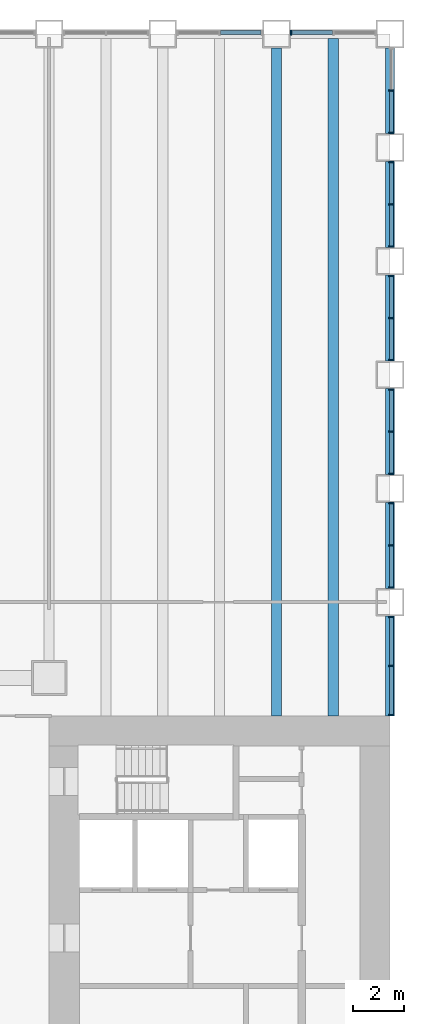
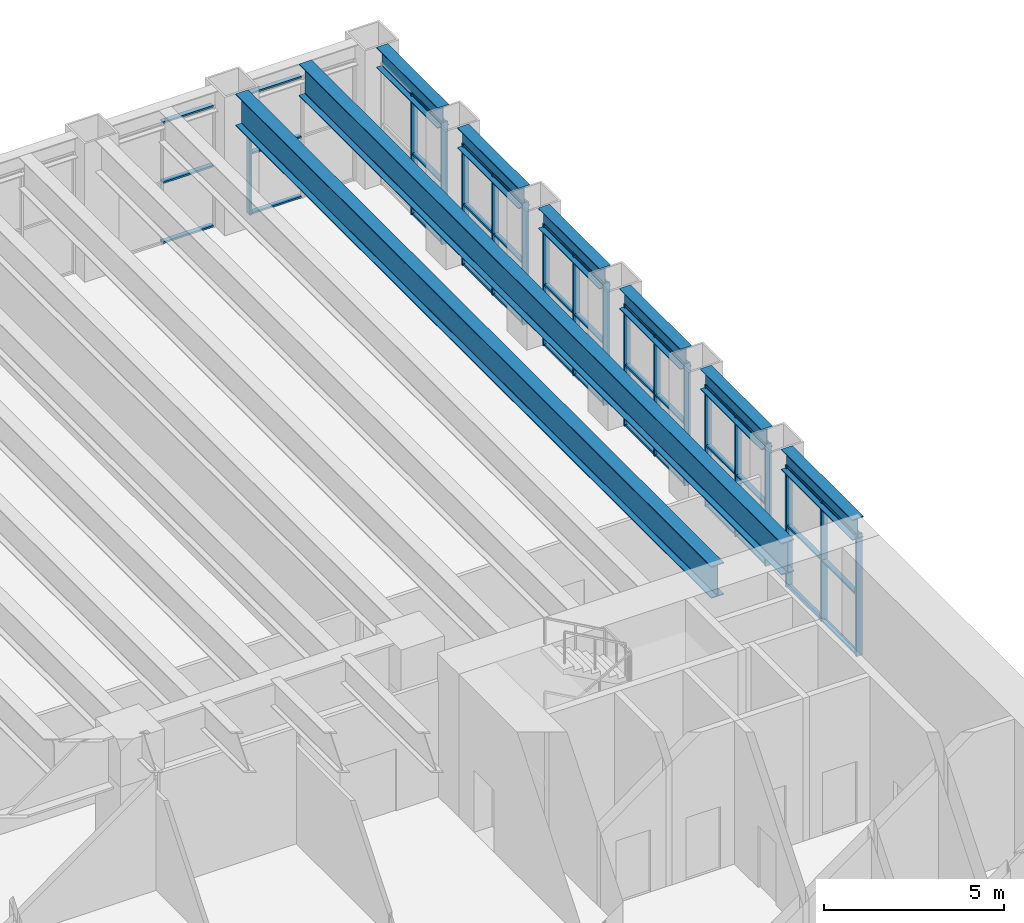
# One storey, part 6 of 21: 57 members, 8 beams, 8 elements without a shape of their own.
"""IFC4 building model written with IfcOpenShell, lengths in metres."""

from ifc_helpers import new_model, si_unit, direction, frame, origin, origin_2d, place, context, subcontext, project, spatial, rectangle, i_section, extrude, material, material_profile, profile_set, type_object, element, aggregate, save


model = new_model("IFC4")

# Units and contexts
model_context = context("Model", 3, precision=1e-05, world=origin(), true_north=direction((0.0, 1.0)))
body_context = subcontext(model_context, "Body", "Model", "MODEL_VIEW")
ifc_project = project(units=[si_unit("LENGTHUNIT", "METRE"), si_unit("AREAUNIT", "SQUARE_METRE"), si_unit("VOLUMEUNIT", "CUBIC_METRE"), si_unit("PLANEANGLEUNIT", "RADIAN"), si_unit("MASSUNIT", "GRAM", prefix="KILO")], contexts=[model_context])

# Site, building, storey
site_placement = place(None, origin())
site = spatial("IfcSite", under=ifc_project, at=site_placement, CompositionType="ELEMENT")
building_placement = place(site_placement, origin())
building = spatial("IfcBuilding", under=site, at=building_placement, Name="Sennacour Bend Tower", CompositionType="ELEMENT")
storey_placement = place(building_placement, frame((0.0, 0.0, 24.0)))
storey = spatial("IfcBuildingStorey", under=building, at=storey_placement, Name="L04", CompositionType="ELEMENT", Elevation=24.0)

# Curtain wall, members
ifc_material_1 = material(Name="Bronze anodised aluminium curtain wall with clear glass", Category="aluminium")
curtain_wall_type = type_object("IfcCurtainWallType", Name="CURTAIN WALL NOTCH", PredefinedType="NOTDEFINED", material=ifc_material_1)
curtain_wall_1_placement = place(storey_placement, origin())
curtain_wall_1 = element("IfcCurtainWall", 1, at=curtain_wall_1_placement, inside=storey, type_object=curtain_wall_type, Name="Podium glass wall L04", PredefinedType="NOTDEFINED")
ifc_material_2 = material(Name="Aluminium 6063-T6", Category="aluminium")
ifc_material_profile_1 = material_profile(ifc_material_2, rectangle(XDim=0.199951171875, YDim=0.06005859375, at=origin_2d()), Name="Aluminium 6063-T6", Category="aluminium")
ifc_profile_set_1 = profile_set([ifc_material_profile_1], Name="Aluminium 6063-T6")
member_type_1 = type_object("IfcMemberType", Name="CW-MULLION-200X60", PredefinedType="MULLION", material=ifc_profile_set_1)
member_1_placement = place(storey_placement, frame((67.550048828125, 22.531005859375, 0.0), z_axis=(0.0, 0.0, 1.0), x_axis=(-1.0, 0.0, 0.0)))
member_1 = element("IfcMember", 2, at=member_1_placement, type_object=member_type_1, Name="GW2 curtain wall mullion 1", PredefinedType="MULLION", context=body_context, shape_type="SweptSolid", body=[
    extrude(rectangle(XDim=0.199951171875, YDim=0.06005859375, at=origin_2d()), origin(), (0.0, 0.0, 1.0), 4.135986328125),
])
member_2_placement = place(storey_placement, frame((67.550048828125, 24.4755859375, 0.0), z_axis=(0.0, 0.0, 1.0), x_axis=(-1.0, 0.0, 0.0)))
member_2 = element("IfcMember", 3, at=member_2_placement, type_object=member_type_1, Name="GW2 curtain wall mullion 2", PredefinedType="MULLION", context=body_context, shape_type="SweptSolid", body=[
    extrude(rectangle(XDim=0.199951171875, YDim=0.06005859375, at=origin_2d()), origin(), (0.0, 0.0, 1.0), 4.135986328125),
])
member_3_placement = place(storey_placement, frame((67.550048828125, 26.419921875, 0.0), z_axis=(0.0, 0.0, 1.0), x_axis=(-1.0, 0.0, 0.0)))
member_3 = element("IfcMember", 4, at=member_3_placement, type_object=member_type_1, Name="GW2 curtain wall mullion 3", PredefinedType="MULLION", context=body_context, shape_type="SweptSolid", body=[
    extrude(rectangle(XDim=0.199951171875, YDim=0.06005859375, at=origin_2d()), origin(), (0.0, 0.0, 1.0), 4.135986328125),
])

curtain_wall_2_placement = place(storey_placement, origin())
curtain_wall_2 = element("IfcCurtainWall", 5, at=curtain_wall_2_placement, inside=storey, type_object=curtain_wall_type, Name="Podium glass wall L04", PredefinedType="NOTDEFINED")
member_4_placement = place(storey_placement, frame((67.550048828125, 27.580078125, 0.0), z_axis=(0.0, 0.0, 1.0), x_axis=(-1.0, 0.0, 0.0)))
member_4 = element("IfcMember", 6, at=member_4_placement, type_object=member_type_1, Name="GW2 curtain wall mullion 1", PredefinedType="MULLION", context=body_context, shape_type="SweptSolid", body=[
    extrude(rectangle(XDim=0.199951171875, YDim=0.06005859375, at=origin_2d()), origin(), (0.0, 0.0, 1.0), 4.135986328125),
])
member_5_placement = place(storey_placement, frame((67.550048828125, 29.25, 0.0), z_axis=(0.0, 0.0, 1.0), x_axis=(-1.0, 0.0, 0.0)))
member_5 = element("IfcMember", 7, at=member_5_placement, type_object=member_type_1, Name="GW2 curtain wall mullion 2", PredefinedType="MULLION", context=body_context, shape_type="SweptSolid", body=[
    extrude(rectangle(XDim=0.199951171875, YDim=0.06005859375, at=origin_2d()), origin(), (0.0, 0.0, 1.0), 4.135986328125),
])
member_6_placement = place(storey_placement, frame((67.550048828125, 30.919921875, 0.0), z_axis=(0.0, 0.0, 1.0), x_axis=(-1.0, 0.0, 0.0)))
member_6 = element("IfcMember", 8, at=member_6_placement, type_object=member_type_1, Name="GW2 curtain wall mullion 3", PredefinedType="MULLION", context=body_context, shape_type="SweptSolid", body=[
    extrude(rectangle(XDim=0.199951171875, YDim=0.06005859375, at=origin_2d()), origin(), (0.0, 0.0, 1.0), 4.135986328125),
])

curtain_wall_3_placement = place(storey_placement, origin())
curtain_wall_3 = element("IfcCurtainWall", 9, at=curtain_wall_3_placement, inside=storey, type_object=curtain_wall_type, Name="Podium glass wall L04", PredefinedType="NOTDEFINED")
member_7_placement = place(storey_placement, frame((67.550048828125, 32.080078125, 0.0), z_axis=(0.0, 0.0, 1.0), x_axis=(-1.0, 0.0, 0.0)))
member_7 = element("IfcMember", 10, at=member_7_placement, type_object=member_type_1, Name="GW2 curtain wall mullion 1", PredefinedType="MULLION", context=body_context, shape_type="SweptSolid", body=[
    extrude(rectangle(XDim=0.199951171875, YDim=0.06005859375, at=origin_2d()), origin(), (0.0, 0.0, 1.0), 4.135986328125),
])
member_8_placement = place(storey_placement, frame((67.550048828125, 33.75, 0.0), z_axis=(0.0, 0.0, 1.0), x_axis=(-1.0, 0.0, 0.0)))
member_8 = element("IfcMember", 11, at=member_8_placement, type_object=member_type_1, Name="GW2 curtain wall mullion 2", PredefinedType="MULLION", context=body_context, shape_type="SweptSolid", body=[
    extrude(rectangle(XDim=0.199951171875, YDim=0.06005859375, at=origin_2d()), origin(), (0.0, 0.0, 1.0), 4.135986328125),
])
member_9_placement = place(storey_placement, frame((67.550048828125, 35.419921875, 0.0), z_axis=(0.0, 0.0, 1.0), x_axis=(-1.0, 0.0, 0.0)))
member_9 = element("IfcMember", 12, at=member_9_placement, type_object=member_type_1, Name="GW2 curtain wall mullion 3", PredefinedType="MULLION", context=body_context, shape_type="SweptSolid", body=[
    extrude(rectangle(XDim=0.199951171875, YDim=0.06005859375, at=origin_2d()), origin(), (0.0, 0.0, 1.0), 4.135986328125),
])

curtain_wall_4_placement = place(storey_placement, origin())
curtain_wall_4 = element("IfcCurtainWall", 13, at=curtain_wall_4_placement, inside=storey, type_object=curtain_wall_type, Name="Podium glass wall L04", PredefinedType="NOTDEFINED")
member_10_placement = place(storey_placement, frame((67.550048828125, 36.580078125, 0.0), z_axis=(0.0, 0.0, 1.0), x_axis=(-1.0, 0.0, 0.0)))
member_10 = element("IfcMember", 14, at=member_10_placement, type_object=member_type_1, Name="GW2 curtain wall mullion 1", PredefinedType="MULLION", context=body_context, shape_type="SweptSolid", body=[
    extrude(rectangle(XDim=0.199951171875, YDim=0.06005859375, at=origin_2d()), origin(), (0.0, 0.0, 1.0), 4.135986328125),
])
member_11_placement = place(storey_placement, frame((67.550048828125, 38.25, 0.0), z_axis=(0.0, 0.0, 1.0), x_axis=(-1.0, 0.0, 0.0)))
member_11 = element("IfcMember", 15, at=member_11_placement, type_object=member_type_1, Name="GW2 curtain wall mullion 2", PredefinedType="MULLION", context=body_context, shape_type="SweptSolid", body=[
    extrude(rectangle(XDim=0.199951171875, YDim=0.06005859375, at=origin_2d()), origin(), (0.0, 0.0, 1.0), 4.135986328125),
])
member_12_placement = place(storey_placement, frame((67.550048828125, 39.919921875, 0.0), z_axis=(0.0, 0.0, 1.0), x_axis=(-1.0, 0.0, 0.0)))
member_12 = element("IfcMember", 16, at=member_12_placement, type_object=member_type_1, Name="GW2 curtain wall mullion 3", PredefinedType="MULLION", context=body_context, shape_type="SweptSolid", body=[
    extrude(rectangle(XDim=0.199951171875, YDim=0.06005859375, at=origin_2d()), origin(), (0.0, 0.0, 1.0), 4.135986328125),
])

curtain_wall_5_placement = place(storey_placement, origin())
curtain_wall_5 = element("IfcCurtainWall", 17, at=curtain_wall_5_placement, inside=storey, type_object=curtain_wall_type, Name="Podium glass wall L04", PredefinedType="NOTDEFINED")
member_13_placement = place(storey_placement, frame((67.550048828125, 41.080078125, 0.0), z_axis=(0.0, 0.0, 1.0), x_axis=(-1.0, 0.0, 0.0)))
member_13 = element("IfcMember", 18, at=member_13_placement, type_object=member_type_1, Name="GW2 curtain wall mullion 1", PredefinedType="MULLION", context=body_context, shape_type="SweptSolid", body=[
    extrude(rectangle(XDim=0.199951171875, YDim=0.06005859375, at=origin_2d()), origin(), (0.0, 0.0, 1.0), 4.135986328125),
])
member_14_placement = place(storey_placement, frame((67.550048828125, 42.75, 0.0), z_axis=(0.0, 0.0, 1.0), x_axis=(-1.0, 0.0, 0.0)))
member_14 = element("IfcMember", 19, at=member_14_placement, type_object=member_type_1, Name="GW2 curtain wall mullion 2", PredefinedType="MULLION", context=body_context, shape_type="SweptSolid", body=[
    extrude(rectangle(XDim=0.199951171875, YDim=0.06005859375, at=origin_2d()), origin(), (0.0, 0.0, 1.0), 4.135986328125),
])
member_15_placement = place(storey_placement, frame((67.550048828125, 44.419921875, 0.0), z_axis=(0.0, 0.0, 1.0), x_axis=(-1.0, 0.0, 0.0)))
member_15 = element("IfcMember", 20, at=member_15_placement, type_object=member_type_1, Name="GW2 curtain wall mullion 3", PredefinedType="MULLION", context=body_context, shape_type="SweptSolid", body=[
    extrude(rectangle(XDim=0.199951171875, YDim=0.06005859375, at=origin_2d()), origin(), (0.0, 0.0, 1.0), 4.135986328125),
])

curtain_wall_6_placement = place(storey_placement, origin())
curtain_wall_6 = element("IfcCurtainWall", 21, at=curtain_wall_6_placement, inside=storey, type_object=curtain_wall_type, Name="Podium glass wall L04", PredefinedType="NOTDEFINED")
member_16_placement = place(storey_placement, frame((67.550048828125, 45.580078125, 0.0), z_axis=(0.0, 0.0, 1.0), x_axis=(-1.0, 0.0, 0.0)))
member_16 = element("IfcMember", 22, at=member_16_placement, type_object=member_type_1, Name="GW2 curtain wall mullion 1", PredefinedType="MULLION", context=body_context, shape_type="SweptSolid", body=[
    extrude(rectangle(XDim=0.199951171875, YDim=0.06005859375, at=origin_2d()), origin(), (0.0, 0.0, 1.0), 4.135986328125),
])
member_17_placement = place(storey_placement, frame((67.550048828125, 47.25, 0.0), z_axis=(0.0, 0.0, 1.0), x_axis=(-1.0, 0.0, 0.0)))
member_17 = element("IfcMember", 23, at=member_17_placement, type_object=member_type_1, Name="GW2 curtain wall mullion 2", PredefinedType="MULLION", context=body_context, shape_type="SweptSolid", body=[
    extrude(rectangle(XDim=0.199951171875, YDim=0.06005859375, at=origin_2d()), origin(), (0.0, 0.0, 1.0), 4.135986328125),
])

# Curtain wall, member
curtain_wall_7_placement = place(storey_placement, origin())
curtain_wall_7 = element("IfcCurtainWall", 24, at=curtain_wall_7_placement, inside=storey, type_object=curtain_wall_type, Name="Podium glass wall L04", PredefinedType="NOTDEFINED")
member_18_placement = place(storey_placement, frame((63.580078125, 49.550048828125, 0.0), z_axis=(0.0, 0.0, 1.0), x_axis=(0.0, -1.0, 0.0)))
member_18 = element("IfcMember", 25, at=member_18_placement, type_object=member_type_1, Name="GW2 curtain wall mullion 3", PredefinedType="MULLION", context=body_context, shape_type="SweptSolid", body=[
    extrude(rectangle(XDim=0.199951171875, YDim=0.06005859375, at=origin_2d()), origin(), (0.0, 0.0, 1.0), 4.135986328125),
])

# Member
ifc_material_profile_2 = material_profile(ifc_material_2, rectangle(XDim=0.14990234375, YDim=0.06005859375, at=origin_2d()), Name="Aluminium 6063-T6", Category="aluminium")
ifc_profile_set_2 = profile_set([ifc_material_profile_2], Name="Aluminium 6063-T6")
member_type_2 = type_object("IfcMemberType", Name="CW-TRANSOM-150X60", PredefinedType="USERDEFINED", material=ifc_profile_set_2)
member_19_placement = place(storey_placement, frame((67.550048828125, 22.56103515625, 0.030029296875), z_axis=(0.0, 1.0, 0.0), x_axis=(-1.0, 0.0, 0.0)))
member_19 = element("IfcMember", 26, at=member_19_placement, type_object=member_type_2, Name="GW2 curtain wall transom 1.1", ObjectType="TRANSOM", PredefinedType="USERDEFINED", context=body_context, shape_type="SweptSolid", body=[
    extrude(rectangle(XDim=0.14990234375, YDim=0.06005859375, at=origin_2d()), origin(), (0.0, 0.0, 1.0), 1.884521484375),
])

member_20_placement = place(storey_placement, frame((67.550048828125, 22.56103515625, 2.068115234375), z_axis=(0.0, 1.0, 0.0), x_axis=(-1.0, 0.0, 0.0)))
member_20 = element("IfcMember", 27, at=member_20_placement, type_object=member_type_2, Name="GW2 curtain wall transom 1.2", ObjectType="TRANSOM", PredefinedType="USERDEFINED", context=body_context, shape_type="SweptSolid", body=[
    extrude(rectangle(XDim=0.14990234375, YDim=0.06005859375, at=origin_2d()), origin(), (0.0, 0.0, 1.0), 1.884521484375),
])

member_21_placement = place(storey_placement, frame((67.550048828125, 22.56103515625, 4.10595703125), z_axis=(0.0, 1.0, 0.0), x_axis=(-1.0, 0.0, 0.0)))
member_21 = element("IfcMember", 28, at=member_21_placement, type_object=member_type_2, Name="GW2 curtain wall transom 1.3", ObjectType="TRANSOM", PredefinedType="USERDEFINED", context=body_context, shape_type="SweptSolid", body=[
    extrude(rectangle(XDim=0.14990234375, YDim=0.06005859375, at=origin_2d()), origin(), (0.0, 0.0, 1.0), 1.884521484375),
])

member_22_placement = place(storey_placement, frame((67.550048828125, 24.505615234375, 0.030029296875), z_axis=(0.0, 1.0, 0.0), x_axis=(-1.0, 0.0, 0.0)))
member_22 = element("IfcMember", 29, at=member_22_placement, type_object=member_type_2, Name="GW2 curtain wall transom 2.1", ObjectType="TRANSOM", PredefinedType="USERDEFINED", context=body_context, shape_type="SweptSolid", body=[
    extrude(rectangle(XDim=0.14990234375, YDim=0.06005859375, at=origin_2d()), origin(), (0.0, 0.0, 1.0), 1.88427734375),
])

member_23_placement = place(storey_placement, frame((67.550048828125, 24.505615234375, 2.068115234375), z_axis=(0.0, 1.0, 0.0), x_axis=(-1.0, 0.0, 0.0)))
member_23 = element("IfcMember", 30, at=member_23_placement, type_object=member_type_2, Name="GW2 curtain wall transom 2.2", ObjectType="TRANSOM", PredefinedType="USERDEFINED", context=body_context, shape_type="SweptSolid", body=[
    extrude(rectangle(XDim=0.14990234375, YDim=0.06005859375, at=origin_2d()), origin(), (0.0, 0.0, 1.0), 1.88427734375),
])

member_24_placement = place(storey_placement, frame((67.550048828125, 24.505615234375, 4.10595703125), z_axis=(0.0, 1.0, 0.0), x_axis=(-1.0, 0.0, 0.0)))
member_24 = element("IfcMember", 31, at=member_24_placement, type_object=member_type_2, Name="GW2 curtain wall transom 2.3", ObjectType="TRANSOM", PredefinedType="USERDEFINED", context=body_context, shape_type="SweptSolid", body=[
    extrude(rectangle(XDim=0.14990234375, YDim=0.06005859375, at=origin_2d()), origin(), (0.0, 0.0, 1.0), 1.88427734375),
])

aggregate(curtain_wall_1, [member_1, member_2, member_3, member_19, member_20, member_21, member_22, member_23, member_24])

member_25_placement = place(storey_placement, frame((67.550048828125, 27.610107421875, 0.030029296875), z_axis=(0.0, 1.0, 0.0), x_axis=(-1.0, 0.0, 0.0)))
member_25 = element("IfcMember", 32, at=member_25_placement, type_object=member_type_2, Name="GW2 curtain wall transom 1.1", ObjectType="TRANSOM", PredefinedType="USERDEFINED", context=body_context, shape_type="SweptSolid", body=[
    extrude(rectangle(XDim=0.14990234375, YDim=0.06005859375, at=origin_2d()), origin(), (0.0, 0.0, 1.0), 1.60986328125),
])

member_26_placement = place(storey_placement, frame((67.550048828125, 27.610107421875, 2.068115234375), z_axis=(0.0, 1.0, 0.0), x_axis=(-1.0, 0.0, 0.0)))
member_26 = element("IfcMember", 33, at=member_26_placement, type_object=member_type_2, Name="GW2 curtain wall transom 1.2", ObjectType="TRANSOM", PredefinedType="USERDEFINED", context=body_context, shape_type="SweptSolid", body=[
    extrude(rectangle(XDim=0.14990234375, YDim=0.06005859375, at=origin_2d()), origin(), (0.0, 0.0, 1.0), 1.60986328125),
])

member_27_placement = place(storey_placement, frame((67.550048828125, 27.610107421875, 4.10595703125), z_axis=(0.0, 1.0, 0.0), x_axis=(-1.0, 0.0, 0.0)))
member_27 = element("IfcMember", 34, at=member_27_placement, type_object=member_type_2, Name="GW2 curtain wall transom 1.3", ObjectType="TRANSOM", PredefinedType="USERDEFINED", context=body_context, shape_type="SweptSolid", body=[
    extrude(rectangle(XDim=0.14990234375, YDim=0.06005859375, at=origin_2d()), origin(), (0.0, 0.0, 1.0), 1.60986328125),
])

member_28_placement = place(storey_placement, frame((67.550048828125, 29.280029296875, 0.030029296875), z_axis=(0.0, 1.0, 0.0), x_axis=(-1.0, 0.0, 0.0)))
member_28 = element("IfcMember", 35, at=member_28_placement, type_object=member_type_2, Name="GW2 curtain wall transom 2.1", ObjectType="TRANSOM", PredefinedType="USERDEFINED", context=body_context, shape_type="SweptSolid", body=[
    extrude(rectangle(XDim=0.14990234375, YDim=0.06005859375, at=origin_2d()), origin(), (0.0, 0.0, 1.0), 1.60986328125),
])

member_29_placement = place(storey_placement, frame((67.550048828125, 29.280029296875, 2.068115234375), z_axis=(0.0, 1.0, 0.0), x_axis=(-1.0, 0.0, 0.0)))
member_29 = element("IfcMember", 36, at=member_29_placement, type_object=member_type_2, Name="GW2 curtain wall transom 2.2", ObjectType="TRANSOM", PredefinedType="USERDEFINED", context=body_context, shape_type="SweptSolid", body=[
    extrude(rectangle(XDim=0.14990234375, YDim=0.06005859375, at=origin_2d()), origin(), (0.0, 0.0, 1.0), 1.60986328125),
])

member_30_placement = place(storey_placement, frame((67.550048828125, 29.280029296875, 4.10595703125), z_axis=(0.0, 1.0, 0.0), x_axis=(-1.0, 0.0, 0.0)))
member_30 = element("IfcMember", 37, at=member_30_placement, type_object=member_type_2, Name="GW2 curtain wall transom 2.3", ObjectType="TRANSOM", PredefinedType="USERDEFINED", context=body_context, shape_type="SweptSolid", body=[
    extrude(rectangle(XDim=0.14990234375, YDim=0.06005859375, at=origin_2d()), origin(), (0.0, 0.0, 1.0), 1.60986328125),
])

aggregate(curtain_wall_2, [member_4, member_5, member_6, member_25, member_26, member_27, member_28, member_29, member_30])

member_31_placement = place(storey_placement, frame((67.550048828125, 32.110107421875, 0.030029296875), z_axis=(0.0, 1.0, 0.0), x_axis=(-1.0, 0.0, 0.0)))
member_31 = element("IfcMember", 38, at=member_31_placement, type_object=member_type_2, Name="GW2 curtain wall transom 1.1", ObjectType="TRANSOM", PredefinedType="USERDEFINED", context=body_context, shape_type="SweptSolid", body=[
    extrude(rectangle(XDim=0.14990234375, YDim=0.06005859375, at=origin_2d()), origin(), (0.0, 0.0, 1.0), 1.60986328125),
])

member_32_placement = place(storey_placement, frame((67.550048828125, 32.110107421875, 2.068115234375), z_axis=(0.0, 1.0, 0.0), x_axis=(-1.0, 0.0, 0.0)))
member_32 = element("IfcMember", 39, at=member_32_placement, type_object=member_type_2, Name="GW2 curtain wall transom 1.2", ObjectType="TRANSOM", PredefinedType="USERDEFINED", context=body_context, shape_type="SweptSolid", body=[
    extrude(rectangle(XDim=0.14990234375, YDim=0.06005859375, at=origin_2d()), origin(), (0.0, 0.0, 1.0), 1.60986328125),
])

member_33_placement = place(storey_placement, frame((67.550048828125, 32.110107421875, 4.10595703125), z_axis=(0.0, 1.0, 0.0), x_axis=(-1.0, 0.0, 0.0)))
member_33 = element("IfcMember", 40, at=member_33_placement, type_object=member_type_2, Name="GW2 curtain wall transom 1.3", ObjectType="TRANSOM", PredefinedType="USERDEFINED", context=body_context, shape_type="SweptSolid", body=[
    extrude(rectangle(XDim=0.14990234375, YDim=0.06005859375, at=origin_2d()), origin(), (0.0, 0.0, 1.0), 1.60986328125),
])

member_34_placement = place(storey_placement, frame((67.550048828125, 33.780029296875, 0.030029296875), z_axis=(0.0, 1.0, 0.0), x_axis=(-1.0, 0.0, 0.0)))
member_34 = element("IfcMember", 41, at=member_34_placement, type_object=member_type_2, Name="GW2 curtain wall transom 2.1", ObjectType="TRANSOM", PredefinedType="USERDEFINED", context=body_context, shape_type="SweptSolid", body=[
    extrude(rectangle(XDim=0.14990234375, YDim=0.06005859375, at=origin_2d()), origin(), (0.0, 0.0, 1.0), 1.60986328125),
])

member_35_placement = place(storey_placement, frame((67.550048828125, 33.780029296875, 2.068115234375), z_axis=(0.0, 1.0, 0.0), x_axis=(-1.0, 0.0, 0.0)))
member_35 = element("IfcMember", 42, at=member_35_placement, type_object=member_type_2, Name="GW2 curtain wall transom 2.2", ObjectType="TRANSOM", PredefinedType="USERDEFINED", context=body_context, shape_type="SweptSolid", body=[
    extrude(rectangle(XDim=0.14990234375, YDim=0.06005859375, at=origin_2d()), origin(), (0.0, 0.0, 1.0), 1.60986328125),
])

member_36_placement = place(storey_placement, frame((67.550048828125, 33.780029296875, 4.10595703125), z_axis=(0.0, 1.0, 0.0), x_axis=(-1.0, 0.0, 0.0)))
member_36 = element("IfcMember", 43, at=member_36_placement, type_object=member_type_2, Name="GW2 curtain wall transom 2.3", ObjectType="TRANSOM", PredefinedType="USERDEFINED", context=body_context, shape_type="SweptSolid", body=[
    extrude(rectangle(XDim=0.14990234375, YDim=0.06005859375, at=origin_2d()), origin(), (0.0, 0.0, 1.0), 1.60986328125),
])

aggregate(curtain_wall_3, [member_7, member_8, member_9, member_31, member_32, member_33, member_34, member_35, member_36])

member_37_placement = place(storey_placement, frame((67.550048828125, 36.610107421875, 0.030029296875), z_axis=(0.0, 1.0, 0.0), x_axis=(-1.0, 0.0, 0.0)))
member_37 = element("IfcMember", 44, at=member_37_placement, type_object=member_type_2, Name="GW2 curtain wall transom 1.1", ObjectType="TRANSOM", PredefinedType="USERDEFINED", context=body_context, shape_type="SweptSolid", body=[
    extrude(rectangle(XDim=0.14990234375, YDim=0.06005859375, at=origin_2d()), origin(), (0.0, 0.0, 1.0), 1.60986328125),
])

member_38_placement = place(storey_placement, frame((67.550048828125, 36.610107421875, 2.068115234375), z_axis=(0.0, 1.0, 0.0), x_axis=(-1.0, 0.0, 0.0)))
member_38 = element("IfcMember", 45, at=member_38_placement, type_object=member_type_2, Name="GW2 curtain wall transom 1.2", ObjectType="TRANSOM", PredefinedType="USERDEFINED", context=body_context, shape_type="SweptSolid", body=[
    extrude(rectangle(XDim=0.14990234375, YDim=0.06005859375, at=origin_2d()), origin(), (0.0, 0.0, 1.0), 1.60986328125),
])

member_39_placement = place(storey_placement, frame((67.550048828125, 36.610107421875, 4.10595703125), z_axis=(0.0, 1.0, 0.0), x_axis=(-1.0, 0.0, 0.0)))
member_39 = element("IfcMember", 46, at=member_39_placement, type_object=member_type_2, Name="GW2 curtain wall transom 1.3", ObjectType="TRANSOM", PredefinedType="USERDEFINED", context=body_context, shape_type="SweptSolid", body=[
    extrude(rectangle(XDim=0.14990234375, YDim=0.06005859375, at=origin_2d()), origin(), (0.0, 0.0, 1.0), 1.60986328125),
])

member_40_placement = place(storey_placement, frame((67.550048828125, 38.280029296875, 0.030029296875), z_axis=(0.0, 1.0, 0.0), x_axis=(-1.0, 0.0, 0.0)))
member_40 = element("IfcMember", 47, at=member_40_placement, type_object=member_type_2, Name="GW2 curtain wall transom 2.1", ObjectType="TRANSOM", PredefinedType="USERDEFINED", context=body_context, shape_type="SweptSolid", body=[
    extrude(rectangle(XDim=0.14990234375, YDim=0.06005859375, at=origin_2d()), origin(), (0.0, 0.0, 1.0), 1.60986328125),
])

member_41_placement = place(storey_placement, frame((67.550048828125, 38.280029296875, 2.068115234375), z_axis=(0.0, 1.0, 0.0), x_axis=(-1.0, 0.0, 0.0)))
member_41 = element("IfcMember", 48, at=member_41_placement, type_object=member_type_2, Name="GW2 curtain wall transom 2.2", ObjectType="TRANSOM", PredefinedType="USERDEFINED", context=body_context, shape_type="SweptSolid", body=[
    extrude(rectangle(XDim=0.14990234375, YDim=0.06005859375, at=origin_2d()), origin(), (0.0, 0.0, 1.0), 1.60986328125),
])

member_42_placement = place(storey_placement, frame((67.550048828125, 38.280029296875, 4.10595703125), z_axis=(0.0, 1.0, 0.0), x_axis=(-1.0, 0.0, 0.0)))
member_42 = element("IfcMember", 49, at=member_42_placement, type_object=member_type_2, Name="GW2 curtain wall transom 2.3", ObjectType="TRANSOM", PredefinedType="USERDEFINED", context=body_context, shape_type="SweptSolid", body=[
    extrude(rectangle(XDim=0.14990234375, YDim=0.06005859375, at=origin_2d()), origin(), (0.0, 0.0, 1.0), 1.60986328125),
])

aggregate(curtain_wall_4, [member_10, member_11, member_12, member_37, member_38, member_39, member_40, member_41, member_42])

member_43_placement = place(storey_placement, frame((67.550048828125, 41.110107421875, 0.030029296875), z_axis=(0.0, 1.0, 0.0), x_axis=(-1.0, 0.0, 0.0)))
member_43 = element("IfcMember", 50, at=member_43_placement, type_object=member_type_2, Name="GW2 curtain wall transom 1.1", ObjectType="TRANSOM", PredefinedType="USERDEFINED", context=body_context, shape_type="SweptSolid", body=[
    extrude(rectangle(XDim=0.14990234375, YDim=0.06005859375, at=origin_2d()), origin(), (0.0, 0.0, 1.0), 1.60986328125),
])

member_44_placement = place(storey_placement, frame((67.550048828125, 41.110107421875, 2.068115234375), z_axis=(0.0, 1.0, 0.0), x_axis=(-1.0, 0.0, 0.0)))
member_44 = element("IfcMember", 51, at=member_44_placement, type_object=member_type_2, Name="GW2 curtain wall transom 1.2", ObjectType="TRANSOM", PredefinedType="USERDEFINED", context=body_context, shape_type="SweptSolid", body=[
    extrude(rectangle(XDim=0.14990234375, YDim=0.06005859375, at=origin_2d()), origin(), (0.0, 0.0, 1.0), 1.60986328125),
])

member_45_placement = place(storey_placement, frame((67.550048828125, 41.110107421875, 4.10595703125), z_axis=(0.0, 1.0, 0.0), x_axis=(-1.0, 0.0, 0.0)))
member_45 = element("IfcMember", 52, at=member_45_placement, type_object=member_type_2, Name="GW2 curtain wall transom 1.3", ObjectType="TRANSOM", PredefinedType="USERDEFINED", context=body_context, shape_type="SweptSolid", body=[
    extrude(rectangle(XDim=0.14990234375, YDim=0.06005859375, at=origin_2d()), origin(), (0.0, 0.0, 1.0), 1.60986328125),
])

member_46_placement = place(storey_placement, frame((67.550048828125, 42.780029296875, 0.030029296875), z_axis=(0.0, 1.0, 0.0), x_axis=(-1.0, 0.0, 0.0)))
member_46 = element("IfcMember", 53, at=member_46_placement, type_object=member_type_2, Name="GW2 curtain wall transom 2.1", ObjectType="TRANSOM", PredefinedType="USERDEFINED", context=body_context, shape_type="SweptSolid", body=[
    extrude(rectangle(XDim=0.14990234375, YDim=0.06005859375, at=origin_2d()), origin(), (0.0, 0.0, 1.0), 1.60986328125),
])

member_47_placement = place(storey_placement, frame((67.550048828125, 42.780029296875, 2.068115234375), z_axis=(0.0, 1.0, 0.0), x_axis=(-1.0, 0.0, 0.0)))
member_47 = element("IfcMember", 54, at=member_47_placement, type_object=member_type_2, Name="GW2 curtain wall transom 2.2", ObjectType="TRANSOM", PredefinedType="USERDEFINED", context=body_context, shape_type="SweptSolid", body=[
    extrude(rectangle(XDim=0.14990234375, YDim=0.06005859375, at=origin_2d()), origin(), (0.0, 0.0, 1.0), 1.60986328125),
])

member_48_placement = place(storey_placement, frame((67.550048828125, 42.780029296875, 4.10595703125), z_axis=(0.0, 1.0, 0.0), x_axis=(-1.0, 0.0, 0.0)))
member_48 = element("IfcMember", 55, at=member_48_placement, type_object=member_type_2, Name="GW2 curtain wall transom 2.3", ObjectType="TRANSOM", PredefinedType="USERDEFINED", context=body_context, shape_type="SweptSolid", body=[
    extrude(rectangle(XDim=0.14990234375, YDim=0.06005859375, at=origin_2d()), origin(), (0.0, 0.0, 1.0), 1.60986328125),
])

aggregate(curtain_wall_5, [member_13, member_14, member_15, member_43, member_44, member_45, member_46, member_47, member_48])

member_49_placement = place(storey_placement, frame((67.550048828125, 45.610107421875, 0.030029296875), z_axis=(0.0, 1.0, 0.0), x_axis=(-1.0, 0.0, 0.0)))
member_49 = element("IfcMember", 56, at=member_49_placement, type_object=member_type_2, Name="GW2 curtain wall transom 1.1", ObjectType="TRANSOM", PredefinedType="USERDEFINED", context=body_context, shape_type="SweptSolid", body=[
    extrude(rectangle(XDim=0.14990234375, YDim=0.06005859375, at=origin_2d()), origin(), (0.0, 0.0, 1.0), 1.60986328125),
])

member_50_placement = place(storey_placement, frame((67.550048828125, 45.610107421875, 2.068115234375), z_axis=(0.0, 1.0, 0.0), x_axis=(-1.0, 0.0, 0.0)))
member_50 = element("IfcMember", 57, at=member_50_placement, type_object=member_type_2, Name="GW2 curtain wall transom 1.2", ObjectType="TRANSOM", PredefinedType="USERDEFINED", context=body_context, shape_type="SweptSolid", body=[
    extrude(rectangle(XDim=0.14990234375, YDim=0.06005859375, at=origin_2d()), origin(), (0.0, 0.0, 1.0), 1.60986328125),
])

member_51_placement = place(storey_placement, frame((67.550048828125, 45.610107421875, 4.10595703125), z_axis=(0.0, 1.0, 0.0), x_axis=(-1.0, 0.0, 0.0)))
member_51 = element("IfcMember", 58, at=member_51_placement, type_object=member_type_2, Name="GW2 curtain wall transom 1.3", ObjectType="TRANSOM", PredefinedType="USERDEFINED", context=body_context, shape_type="SweptSolid", body=[
    extrude(rectangle(XDim=0.14990234375, YDim=0.06005859375, at=origin_2d()), origin(), (0.0, 0.0, 1.0), 1.60986328125),
])

aggregate(curtain_wall_6, [member_16, member_17, member_49, member_50, member_51])

member_52_placement = place(storey_placement, frame((65.219970703125, 49.550048828125, 0.030029296875), z_axis=(-1.0, 0.0, 0.0), x_axis=(0.0, -1.0, 0.0)))
member_52 = element("IfcMember", 59, at=member_52_placement, type_object=member_type_2, Name="GW2 curtain wall transom 2.1", ObjectType="TRANSOM", PredefinedType="USERDEFINED", context=body_context, shape_type="SweptSolid", body=[
    extrude(rectangle(XDim=0.14990234375, YDim=0.06005859375, at=origin_2d()), origin(), (0.0, 0.0, 1.0), 1.60986328125),
])

member_53_placement = place(storey_placement, frame((65.219970703125, 49.550048828125, 2.068115234375), z_axis=(-1.0, 0.0, 0.0), x_axis=(0.0, -1.0, 0.0)))
member_53 = element("IfcMember", 60, at=member_53_placement, type_object=member_type_2, Name="GW2 curtain wall transom 2.2", ObjectType="TRANSOM", PredefinedType="USERDEFINED", context=body_context, shape_type="SweptSolid", body=[
    extrude(rectangle(XDim=0.14990234375, YDim=0.06005859375, at=origin_2d()), origin(), (0.0, 0.0, 1.0), 1.60986328125),
])

member_54_placement = place(storey_placement, frame((65.219970703125, 49.550048828125, 4.10595703125), z_axis=(-1.0, 0.0, 0.0), x_axis=(0.0, -1.0, 0.0)))
member_54 = element("IfcMember", 61, at=member_54_placement, type_object=member_type_2, Name="GW2 curtain wall transom 2.3", ObjectType="TRANSOM", PredefinedType="USERDEFINED", context=body_context, shape_type="SweptSolid", body=[
    extrude(rectangle(XDim=0.14990234375, YDim=0.06005859375, at=origin_2d()), origin(), (0.0, 0.0, 1.0), 1.60986328125),
])

aggregate(curtain_wall_7, [member_18, member_52, member_53, member_54])

# Curtain wall, members
curtain_wall_8_placement = place(storey_placement, origin())
curtain_wall_8 = element("IfcCurtainWall", 62, at=curtain_wall_8_placement, inside=storey, type_object=curtain_wall_type, Name="Podium glass wall L04", PredefinedType="NOTDEFINED")
member_55_placement = place(storey_placement, frame((62.389892578125, 49.550048828125, 0.030029296875), z_axis=(-1.0, 0.0, 0.0), x_axis=(0.0, -1.0, 0.0)))
member_55 = element("IfcMember", 63, at=member_55_placement, type_object=member_type_2, Name="GW2 curtain wall transom 1.1", ObjectType="TRANSOM", PredefinedType="USERDEFINED", context=body_context, shape_type="SweptSolid", body=[
    extrude(rectangle(XDim=0.14990234375, YDim=0.06005859375, at=origin_2d()), origin(), (0.0, 0.0, 1.0), 1.60986328125),
])
member_56_placement = place(storey_placement, frame((62.389892578125, 49.550048828125, 2.068115234375), z_axis=(-1.0, 0.0, 0.0), x_axis=(0.0, -1.0, 0.0)))
member_56 = element("IfcMember", 64, at=member_56_placement, type_object=member_type_2, Name="GW2 curtain wall transom 1.2", ObjectType="TRANSOM", PredefinedType="USERDEFINED", context=body_context, shape_type="SweptSolid", body=[
    extrude(rectangle(XDim=0.14990234375, YDim=0.06005859375, at=origin_2d()), origin(), (0.0, 0.0, 1.0), 1.60986328125),
])
member_57_placement = place(storey_placement, frame((62.389892578125, 49.550048828125, 4.10595703125), z_axis=(-1.0, 0.0, 0.0), x_axis=(0.0, -1.0, 0.0)))
member_57 = element("IfcMember", 65, at=member_57_placement, type_object=member_type_2, Name="GW2 curtain wall transom 1.3", ObjectType="TRANSOM", PredefinedType="USERDEFINED", context=body_context, shape_type="SweptSolid", body=[
    extrude(rectangle(XDim=0.14990234375, YDim=0.06005859375, at=origin_2d()), origin(), (0.0, 0.0, 1.0), 1.60986328125),
])
aggregate(curtain_wall_8, [member_55, member_56, member_57])

# Beams
ifc_material_3 = material(Name="Steel ASTM A992 Grade 50", Category="steel")
ifc_material_profile_3 = material_profile(ifc_material_3, i_section(OverallWidth=0.40087890625, OverallDepth=1.090087890625, WebThickness=0.01806640625, FlangeThickness=0.031005859375, FilletRadius=0.02001953125, at=origin_2d()), Name="Steel ASTM A992 Grade 50", Category="steel")
ifc_profile_set_3 = profile_set([ifc_material_profile_3], Name="Steel ASTM A992 Grade 50")
beam_type_1 = type_object("IfcBeamType", Name="Notch floor beam W1100X343", PredefinedType="BEAM", material=ifc_profile_set_3)
beam_1_placement = place(storey_placement, frame((63.0, 22.5, 4.155029296875), z_axis=(0.0, 1.0, 0.0), x_axis=(-1.0, 0.0, 0.0)))
element("IfcBeam", 66, at=beam_1_placement, inside=storey, type_object=beam_type_1, Name="Floor beam FBM4 L05-062", PredefinedType="BEAM", context=body_context, shape_type="SweptSolid", body=[
    extrude(i_section(OverallWidth=0.40087890625, OverallDepth=1.090087890625, WebThickness=0.01806640625, FlangeThickness=0.031005859375, FilletRadius=0.02001953125, at=origin_2d()), origin(), (0.0, 0.0, 1.0), 26.449951171875),
])
beam_2_placement = place(storey_placement, frame((65.25, 22.5, 4.155029296875), z_axis=(0.0, 1.0, 0.0), x_axis=(-1.0, 0.0, 0.0)))
element("IfcBeam", 67, at=beam_2_placement, inside=storey, type_object=beam_type_1, Name="Floor beam FBM4 L05-063", PredefinedType="BEAM", context=body_context, shape_type="SweptSolid", body=[
    extrude(i_section(OverallWidth=0.40087890625, OverallDepth=1.090087890625, WebThickness=0.01806640625, FlangeThickness=0.031005859375, FilletRadius=0.02001953125, at=origin_2d()), origin(), (0.0, 0.0, 1.0), 26.821044921875),
])
ifc_material_profile_4 = material_profile(ifc_material_3, i_section(OverallWidth=0.35791015625, OverallDepth=0.7060546875, WebThickness=0.018310546875, FlangeThickness=0.0302734375, FilletRadius=0.02001953125, at=origin_2d()), Name="Steel ASTM A992 Grade 50", Category="steel")
ifc_profile_set_4 = profile_set([ifc_material_profile_4], Name="Steel ASTM A992 Grade 50")
beam_type_2 = type_object("IfcBeamType", Name="Spandrel beam W690X265", PredefinedType="SPANDREL", material=ifc_profile_set_4)
for number, where, z_axis, x_axis, name in (
    (68, (67.5, 48.949951171875, 4.346923828125), (0.0, -1.0, 0.0), (1.0, 0.0, 0.0), "Spandrel beam SP2 L05-023"),
    (69, (67.5, 44.449951171875, 4.346923828125), (0.0, -1.0, 0.0), (1.0, 0.0, 0.0), "Spandrel beam SP2 L05-024"),
    (70, (67.5, 39.949951171875, 4.346923828125), (0.0, -1.0, 0.0), (1.0, 0.0, 0.0), "Spandrel beam SP2 L05-025"),
    (71, (67.5, 35.449951171875, 4.346923828125), (0.0, -1.0, 0.0), (1.0, 0.0, 0.0), "Spandrel beam SP2 L05-026"),
    (72, (67.5, 30.949951171875, 4.346923828125), (0.0, -1.0, 0.0), (1.0, 0.0, 0.0), "Spandrel beam SP2 L05-027"),
):
    element("IfcBeam", number, at=place(storey_placement, frame(where, z_axis=z_axis, x_axis=x_axis)), inside=storey, type_object=beam_type_2, Name=name, PredefinedType="SPANDREL", context=body_context, shape_type="SweptSolid", body=[
        extrude(i_section(OverallWidth=0.35791015625, OverallDepth=0.7060546875, WebThickness=0.018310546875, FlangeThickness=0.0302734375, FilletRadius=0.02001953125, at=origin_2d()), origin(), (0.0, 0.0, 1.0), 3.39990234375),
    ])
beam_3_placement = place(storey_placement, frame((67.5, 26.449951171875, 4.346923828125), z_axis=(0.0, -1.0, 0.0), x_axis=(1.0, 0.0, 0.0)))
element("IfcBeam", 73, at=beam_3_placement, inside=storey, type_object=beam_type_2, Name="Spandrel beam SP2 L05-028", PredefinedType="SPANDREL", context=body_context, shape_type="SweptSolid", body=[
    extrude(i_section(OverallWidth=0.35791015625, OverallDepth=0.7060546875, WebThickness=0.018310546875, FlangeThickness=0.0302734375, FilletRadius=0.02001953125, at=origin_2d()), origin(), (0.0, 0.0, 1.0), 3.949951171875),
])

save(model, "model.ifc")
